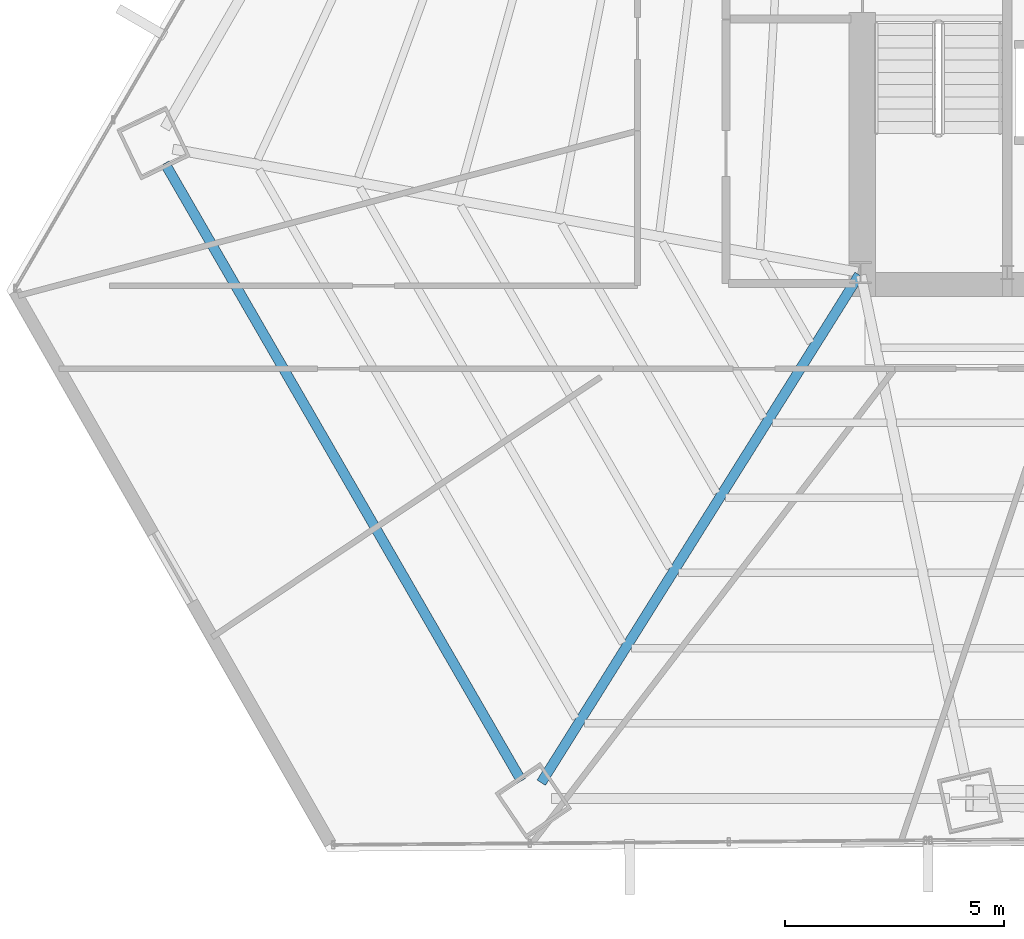
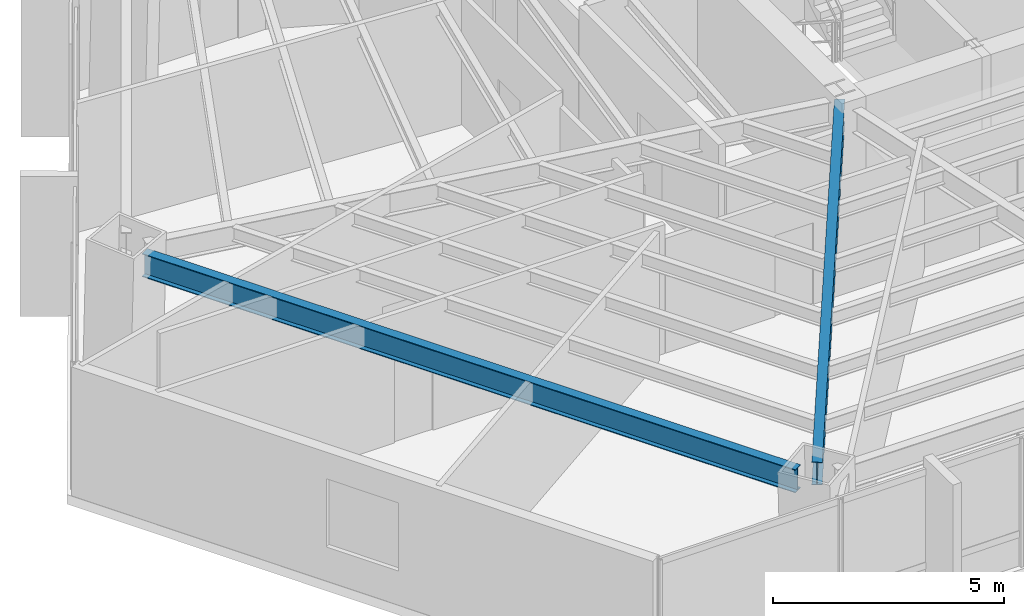
# One storey, part 4 of 35: 2 beams.
"""IFC4 building model written with IfcOpenShell, lengths in metres."""

from ifc_helpers import new_model, si_unit, direction, frame, origin, origin_2d, place, context, subcontext, project, spatial, i_section, extrude, source, transform, mapped, material, material_profile, profile_set, type_object, type_shapes, element, save


model = new_model("IFC4")

# Units and contexts
model_context = context("Model", 3, precision=1e-05, world=origin(), true_north=direction((0.0, 1.0)))
body_context = subcontext(model_context, "Body", "Model", "MODEL_VIEW")
ifc_project = project(units=[si_unit("LENGTHUNIT", "METRE"), si_unit("AREAUNIT", "SQUARE_METRE"), si_unit("VOLUMEUNIT", "CUBIC_METRE"), si_unit("PLANEANGLEUNIT", "RADIAN"), si_unit("MASSUNIT", "GRAM", prefix="KILO")], contexts=[model_context])

# Site, building, storey
site_placement = place(None, origin())
site = spatial("IfcSite", under=ifc_project, at=site_placement, CompositionType="ELEMENT")
building_placement = place(site_placement, origin())
building = spatial("IfcBuilding", under=site, at=building_placement, Name="Caelisora Broadcast Tower", CompositionType="ELEMENT")
storey_placement = place(building_placement, frame((0.0, 0.0, 53.14990234375)))
storey = spatial("IfcBuildingStorey", under=building, at=storey_placement, Name="L13", CompositionType="ELEMENT", Elevation=53.14990234375)

# Beams
ifc_material = material(Name="Steel Grade 350 (AS/NZS 3679.1)", Category="steel")
ifc_material_profile_1 = material_profile(ifc_material, i_section(OverallWidth=0.22900390625, OverallDepth=0.611572265625, WebThickness=0.011962890625, FlangeThickness=0.01953125, at=origin_2d()), Name="Steel Grade 350 (AS/NZS 3679.1)")
ifc_profile_set_1 = profile_set([ifc_material_profile_1], Name="Steel Grade 350 (AS/NZS 3679.1)")
beam_type_1 = type_object("IfcBeamType", Name="PG03", PredefinedType="BEAM", material=ifc_profile_set_1)
shared_shape_1 = source(origin(), body_context, "Body", "SweptSolid", [
    extrude(i_section(OverallWidth=0.22900390625, OverallDepth=0.611572265625, WebThickness=0.011962890625, FlangeThickness=0.01953125, at=origin_2d()), origin(), (0.0, 0.0, 1.0), 16.307861328125),
])
type_shapes(beam_type_1, [shared_shape_1])
beam_1_placement = place(storey_placement, frame((14.59033203125, 19.89990234375, 3.09423828125), z_axis=(0.500004958587, -0.866022540924, 0.0), x_axis=(0.866022540924, 0.500004958587, 0.0)))
element("IfcBeam", 1, at=beam_1_placement, inside=storey, type_object=beam_type_1, Name="L13 beam PG03", PredefinedType="BEAM", context=body_context, shape_type="MappedRepresentation", body=[
    mapped(shared_shape_1, transform((0.0, 0.0, 0.0), scale=1.0)),
])
ifc_material_profile_2 = material_profile(ifc_material, i_section(OverallWidth=0.22802734375, OverallDepth=0.602294921875, WebThickness=0.010498046875, FlangeThickness=0.014892578125, at=origin_2d()), Name="Steel Grade 350 (AS/NZS 3679.1)")
ifc_profile_set_2 = profile_set([ifc_material_profile_2], Name="Steel Grade 350 (AS/NZS 3679.1)")
beam_type_2 = type_object("IfcBeamType", Name="PG04", PredefinedType="BEAM", material=ifc_profile_set_2)
shared_shape_2 = source(origin(), body_context, "Body", "SweptSolid", [
    extrude(i_section(OverallWidth=0.22802734375, OverallDepth=0.602294921875, WebThickness=0.010498046875, FlangeThickness=0.014892578125, at=origin_2d()), origin(), (0.0, 0.0, 1.0), 13.702880859375),
])
type_shapes(beam_type_2, [shared_shape_2])
beam_2_placement = place(storey_placement, frame((30.46826171875, 17.34912109375, 3.098876953125), z_axis=(-0.530616978633, -0.847611716523, 0.0), x_axis=(0.847611716523, -0.530616978633, 0.0)))
element("IfcBeam", 2, at=beam_2_placement, inside=storey, type_object=beam_type_2, Name="L13 beam PG04", PredefinedType="BEAM", context=body_context, shape_type="MappedRepresentation", body=[
    mapped(shared_shape_2, transform((0.0, 0.0, 0.0), scale=1.0)),
])

save(model, "model.ifc")
